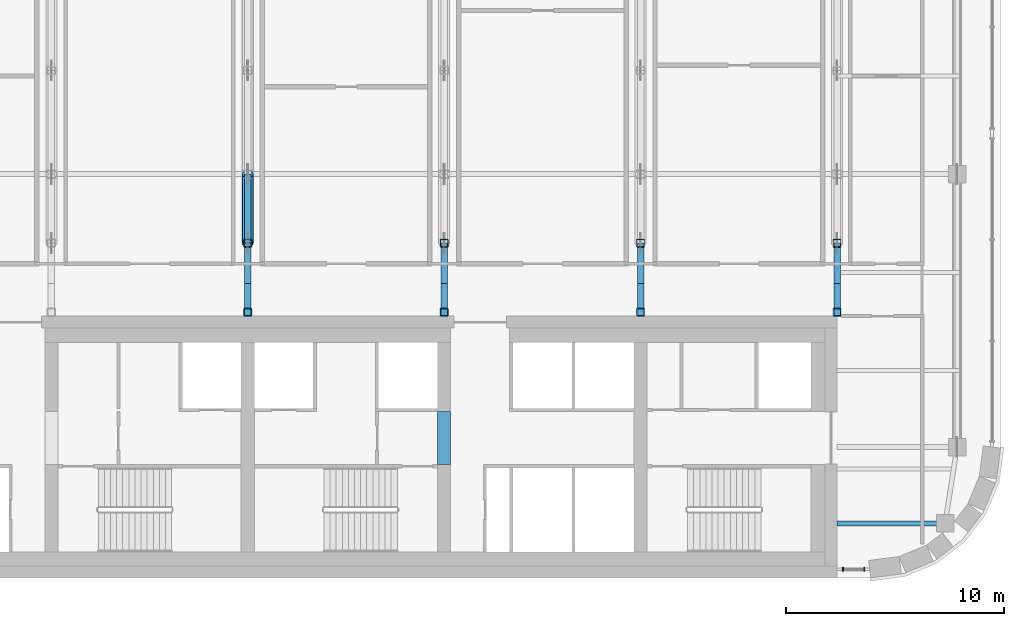
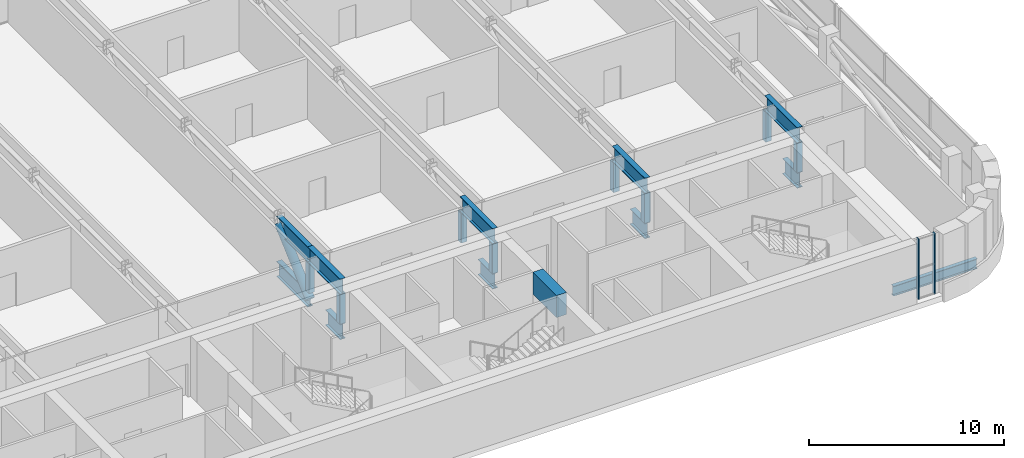
# One storey, part 7 of 28: 21 members, 2 beams, 1 element without a shape of its own.
"""IFC4 building model written with IfcOpenShell, lengths in metres."""

from ifc_helpers import new_model, si_unit, direction, frame, origin, origin_2d, place, context, subcontext, project, spatial, rectangle, hollow_rectangle, hollow_circle, i_section, extrude, material, material_profile, profile_set, type_object, element, aggregate, save


model = new_model("IFC4")

# Units and contexts
model_context = context("Model", 3, precision=1e-05, world=origin(), true_north=direction((0.0, 1.0)))
body_context = subcontext(model_context, "Body", "Model", "MODEL_VIEW")
ifc_project = project(units=[si_unit("LENGTHUNIT", "METRE"), si_unit("AREAUNIT", "SQUARE_METRE"), si_unit("VOLUMEUNIT", "CUBIC_METRE"), si_unit("PLANEANGLEUNIT", "RADIAN"), si_unit("MASSUNIT", "GRAM", prefix="KILO")], contexts=[model_context])

# Site, building, storey
site_placement = place(None, origin())
site = spatial("IfcSite", under=ifc_project, at=site_placement, CompositionType="ELEMENT")
building_placement = place(site_placement, origin())
building = spatial("IfcBuilding", under=site, at=building_placement, Name="Zellij Exchange Tower", CompositionType="ELEMENT")
storey_placement = place(building_placement, frame((0.0, 0.0, 268.5)))
storey = spatial("IfcBuildingStorey", under=building, at=storey_placement, Name="L63", CompositionType="ELEMENT", Elevation=268.5)

# Beam
ifc_material_1 = material(Name="Concrete C50/60", Category="concrete")
ifc_material_profile_1 = material_profile(ifc_material_1, rectangle(XDim=0.60009765625, YDim=1.3798828125, at=origin_2d()), Name="CORE-CB 600x1380 C50/60")
ifc_profile_set_1 = profile_set([ifc_material_profile_1], Name="Concrete C50/60")
beam_type_1 = type_object("IfcBeamType", Name="CORE-CB 600x1380 C50/60", PredefinedType="BEAM", material=ifc_profile_set_1)
beam_1_placement = place(storey_placement, frame((9.0, -8.800048828125, 3.090087890625), z_axis=(0.0, 1.0, 0.0), x_axis=(-1.0, 0.0, 0.0)))
element("IfcBeam", 1, at=beam_1_placement, inside=storey, type_object=beam_type_1, Name="Core coupling beam x 9 L63", PredefinedType="BEAM", context=body_context, shape_type="SweptSolid", body=[
    extrude(rectangle(XDim=0.60009765625, YDim=1.3798828125, at=origin_2d()), origin(), (0.0, 0.0, 1.0), 2.425048828125),
])

# Curtain wall, members
ifc_material_2 = material(Name="Aluminium frame, clear insulating glass", Category="aluminium")
curtain_wall_type = type_object("IfcCurtainWallType", Name="ENV-CW2 Outrigger-storey glazing", PredefinedType="NOTDEFINED", material=ifc_material_2)
curtain_wall_placement = place(storey_placement, origin())
curtain_wall = element("IfcCurtainWall", 2, at=curtain_wall_placement, inside=storey, type_object=curtain_wall_type, Name="cw.L63.00b", PredefinedType="NOTDEFINED")
ifc_material_3 = material(Name="Aluminium", Category="aluminium")
ifc_material_profile_2 = material_profile(ifc_material_3, rectangle(XDim=0.06005859375, YDim=0.199951171875, at=origin_2d()), Name="AL 60x200")
ifc_profile_set_2 = profile_set([ifc_material_profile_2], Name="Aluminium")
member_type_1 = type_object("IfcMemberType", Name="ENV-CW2M Mullion 60x200", PredefinedType="MULLION", material=ifc_profile_set_2)
member_1_placement = place(storey_placement, frame((27.280029296875, -13.60009765625, 0.0), z_axis=(0.0, 0.0, 1.0), x_axis=(1.0, 0.0, 0.0)))
member_1 = element("IfcMember", 3, at=member_1_placement, type_object=member_type_1, Name="CW2 mullion 1", PredefinedType="MULLION", context=body_context, shape_type="SweptSolid", body=[
    extrude(rectangle(XDim=0.06005859375, YDim=0.199951171875, at=origin_2d()), origin(), (0.0, 0.0, 1.0), 3.780029296875),
])
member_2_placement = place(storey_placement, frame((28.243896484375, -13.60009765625, 0.0), z_axis=(0.0, 0.0, 1.0), x_axis=(1.0, 0.0, 0.0)))
member_2 = element("IfcMember", 4, at=member_2_placement, type_object=member_type_1, Name="CW2 mullion 2", PredefinedType="MULLION", context=body_context, shape_type="SweptSolid", body=[
    extrude(rectangle(XDim=0.06005859375, YDim=0.199951171875, at=origin_2d()), origin(), (0.0, 0.0, 1.0), 3.780029296875),
])
aggregate(curtain_wall, [member_1, member_2])

# Beam
ifc_material_4 = material(Name="Structural steel ASTM A992 Gr 50", Category="steel")
ifc_material_profile_3 = material_profile(ifc_material_4, i_section(OverallWidth=0.228271484375, OverallDepth=0.607177734375, WebThickness=0.01123046875, FlangeThickness=0.017333984375, at=origin_2d()), Name="W24x76")
ifc_profile_set_3 = profile_set([ifc_material_profile_3], Name="Structural steel ASTM A992 Gr 50")
beam_type_2 = type_object("IfcBeamType", Name="STR-GIRDER W24x76", PredefinedType="BEAM", material=ifc_profile_set_3)
beam_2_placement = place(storey_placement, frame((27.0, -11.5, -0.653564453125), z_axis=(1.0, 0.0, 0.0), x_axis=(0.0, 1.0, 0.0)))
element("IfcBeam", 5, at=beam_2_placement, inside=storey, type_object=beam_type_2, Name="G2", PredefinedType="BEAM", context=body_context, shape_type="SweptSolid", body=[
    extrude(i_section(OverallWidth=0.228271484375, OverallDepth=0.607177734375, WebThickness=0.01123046875, FlangeThickness=0.017333984375, at=origin_2d()), origin(), (0.0, 0.0, 1.0), 4.949951171875),
])

# Members
ifc_material_5 = material(Name="Structural steel ASTM A913 Gr 65", Category="steel")
ifc_material_profile_4 = material_profile(ifc_material_5, i_section(OverallWidth=0.2998046875, OverallDepth=0.965087890625, WebThickness=0.01904296875, FlangeThickness=0.0361328125, at=origin_2d()), Name="W40x249")
ifc_profile_set_4 = profile_set([ifc_material_profile_4], Name="Structural steel ASTM A913 Gr 65")
member_type_2 = type_object("IfcMemberType", Name="STR-OUTRIGGER TRUSS CHORD W40x249", PredefinedType="CHORD", material=ifc_profile_set_4)
member_3_placement = place(storey_placement, frame((0.0, -2.0, 3.29736328125), z_axis=(0.0, 1.0, 0.0), x_axis=(-1.0, 0.0, 0.0)))
element("IfcMember", 6, at=member_3_placement, inside=storey, type_object=member_type_2, Name="OT1", PredefinedType="CHORD", context=body_context, shape_type="SweptSolid", body=[
    extrude(i_section(OverallWidth=0.2998046875, OverallDepth=0.965087890625, WebThickness=0.01904296875, FlangeThickness=0.0361328125, at=origin_2d()), origin(), (0.0, 0.0, 1.0), 3.339111328125),
])
member_4_placement = place(storey_placement, frame((0.0, -2.0, 0.482666015625), z_axis=(0.0, 1.0, 0.0), x_axis=(-1.0, 0.0, 0.0)))
element("IfcMember", 7, at=member_4_placement, inside=storey, type_object=member_type_2, Name="OT1", PredefinedType="CHORD", context=body_context, shape_type="SweptSolid", body=[
    extrude(i_section(OverallWidth=0.2998046875, OverallDepth=0.965087890625, WebThickness=0.01904296875, FlangeThickness=0.0361328125, at=origin_2d()), origin(), (0.0, 0.0, 1.0), 1.5),
])
for number, where, z_axis, x_axis, name in (
    (8, (0.0, 1.339111328125, 3.29736328125), (0.0, 1.0, 0.0), (-1.0, 0.0, 0.0), "OT1"),
    (9, (0.0, 1.339111328125, 0.482666015625), (0.0, 1.0, 0.0), (-1.0, 0.0, 0.0), "OT1"),
):
    element("IfcMember", number, at=place(storey_placement, frame(where, z_axis=z_axis, x_axis=x_axis)), inside=storey, type_object=member_type_2, Name=name, PredefinedType="CHORD", context=body_context, shape_type="SweptSolid", body=[
        extrude(i_section(OverallWidth=0.2998046875, OverallDepth=0.965087890625, WebThickness=0.01904296875, FlangeThickness=0.0361328125, at=origin_2d()), origin(), (0.0, 0.0, 1.0), 3.160888671875),
    ])
member_5_placement = place(storey_placement, frame((9.0, -2.0, 3.29736328125), z_axis=(0.0, 1.0, 0.0), x_axis=(-1.0, 0.0, 0.0)))
element("IfcMember", 10, at=member_5_placement, inside=storey, type_object=member_type_2, Name="OT1", PredefinedType="CHORD", context=body_context, shape_type="SweptSolid", body=[
    extrude(i_section(OverallWidth=0.2998046875, OverallDepth=0.965087890625, WebThickness=0.01904296875, FlangeThickness=0.0361328125, at=origin_2d()), origin(), (0.0, 0.0, 1.0), 3.339111328125),
])
member_6_placement = place(storey_placement, frame((9.0, -2.0, 0.482666015625), z_axis=(0.0, 1.0, 0.0), x_axis=(-1.0, 0.0, 0.0)))
element("IfcMember", 11, at=member_6_placement, inside=storey, type_object=member_type_2, Name="OT1", PredefinedType="CHORD", context=body_context, shape_type="SweptSolid", body=[
    extrude(i_section(OverallWidth=0.2998046875, OverallDepth=0.965087890625, WebThickness=0.01904296875, FlangeThickness=0.0361328125, at=origin_2d()), origin(), (0.0, 0.0, 1.0), 1.5),
])
member_7_placement = place(storey_placement, frame((18.0, -2.0, 3.29736328125), z_axis=(0.0, 1.0, 0.0), x_axis=(-1.0, 0.0, 0.0)))
element("IfcMember", 12, at=member_7_placement, inside=storey, type_object=member_type_2, Name="OT1", PredefinedType="CHORD", context=body_context, shape_type="SweptSolid", body=[
    extrude(i_section(OverallWidth=0.2998046875, OverallDepth=0.965087890625, WebThickness=0.01904296875, FlangeThickness=0.0361328125, at=origin_2d()), origin(), (0.0, 0.0, 1.0), 3.339111328125),
])
member_8_placement = place(storey_placement, frame((18.0, -2.0, 0.482666015625), z_axis=(0.0, 1.0, 0.0), x_axis=(-1.0, 0.0, 0.0)))
element("IfcMember", 13, at=member_8_placement, inside=storey, type_object=member_type_2, Name="OT1", PredefinedType="CHORD", context=body_context, shape_type="SweptSolid", body=[
    extrude(i_section(OverallWidth=0.2998046875, OverallDepth=0.965087890625, WebThickness=0.01904296875, FlangeThickness=0.0361328125, at=origin_2d()), origin(), (0.0, 0.0, 1.0), 1.5),
])
member_9_placement = place(storey_placement, frame((27.0, -2.0, 3.29736328125), z_axis=(0.0, 1.0, 0.0), x_axis=(-1.0, 0.0, 0.0)))
element("IfcMember", 14, at=member_9_placement, inside=storey, type_object=member_type_2, Name="OT1", PredefinedType="CHORD", context=body_context, shape_type="SweptSolid", body=[
    extrude(i_section(OverallWidth=0.2998046875, OverallDepth=0.965087890625, WebThickness=0.01904296875, FlangeThickness=0.0361328125, at=origin_2d()), origin(), (0.0, 0.0, 1.0), 3.339111328125),
])
member_10_placement = place(storey_placement, frame((27.0, -2.0, 0.482666015625), z_axis=(0.0, 1.0, 0.0), x_axis=(-1.0, 0.0, 0.0)))
element("IfcMember", 15, at=member_10_placement, inside=storey, type_object=member_type_2, Name="OT1", PredefinedType="CHORD", context=body_context, shape_type="SweptSolid", body=[
    extrude(i_section(OverallWidth=0.2998046875, OverallDepth=0.965087890625, WebThickness=0.01904296875, FlangeThickness=0.0361328125, at=origin_2d()), origin(), (0.0, 0.0, 1.0), 1.5),
])
ifc_material_6 = material(Name="Structural steel ASTM A500 Gr C", Category="steel")
ifc_material_profile_5 = material_profile(ifc_material_6, hollow_circle(Radius=0.25390625, WallThickness=0.01171875, at=origin_2d()), Name="STR-OUTRIGGER TRUSS DIAGONAL HSS20.000x0.500")
ifc_profile_set_5 = profile_set([ifc_material_profile_5], Name="Structural steel ASTM A500 Gr C")
member_type_3 = type_object("IfcMemberType", Name="STR-OUTRIGGER TRUSS DIAGONAL HSS20.000x0.500", PredefinedType="BRACE", material=ifc_profile_set_5)
member_11_placement = place(storey_placement, frame((0.0, 1.339111328125, 0.482666015625), z_axis=(0.0, 0.74682026199, 0.665025936548), x_axis=(-1.0, 0.0, 0.0)))
element("IfcMember", 16, at=member_11_placement, inside=storey, type_object=member_type_3, Name="OT2", PredefinedType="BRACE", context=body_context, shape_type="SweptSolid", body=[
    extrude(hollow_circle(Radius=0.25390625, WallThickness=0.01171875, at=origin_2d()), origin(), (0.0, 0.0, 1.0), 4.232421875),
])
ifc_material_profile_6 = material_profile(ifc_material_6, hollow_rectangle(XDim=0.355712890625, YDim=0.355712890625, WallThickness=0.01171875, InnerFilletRadius=0.01171875, OuterFilletRadius=0.023681640625, at=origin_2d()), Name="STR-OUTRIGGER TRUSS POST HSS14x14x1/2")
ifc_profile_set_6 = profile_set([ifc_material_profile_6], Name="Structural steel ASTM A500 Gr C")
member_type_4 = type_object("IfcMemberType", Name="STR-OUTRIGGER TRUSS POST HSS14x14x1/2", PredefinedType="POST", material=ifc_profile_set_6)
for number, where, z_axis, x_axis, name in (
    (17, (0.0, -1.822265625, 0.965087890625), (0.0, 0.0, 1.0), (1.0, 0.0, 0.0), "OT3"),
    (18, (0.0, 1.339111328125, 0.965087890625), (0.0, 0.0, 1.0), (1.0, 0.0, 0.0), "OT3"),
    (19, (9.0, -1.822265625, 0.965087890625), (0.0, 0.0, 1.0), (1.0, 0.0, 0.0), "OT3"),
    (20, (9.0, 1.339111328125, 0.965087890625), (0.0, 0.0, 1.0), (1.0, 0.0, 0.0), "OT3"),
    (21, (18.0, -1.822265625, 0.965087890625), (0.0, 0.0, 1.0), (1.0, 0.0, 0.0), "OT3"),
    (22, (18.0, 1.339111328125, 0.965087890625), (0.0, 0.0, 1.0), (1.0, 0.0, 0.0), "OT3"),
    (23, (27.0, -1.822265625, 0.965087890625), (0.0, 0.0, 1.0), (1.0, 0.0, 0.0), "OT3"),
    (24, (27.0, 1.339111328125, 0.965087890625), (0.0, 0.0, 1.0), (1.0, 0.0, 0.0), "OT3"),
):
    element("IfcMember", number, at=place(storey_placement, frame(where, z_axis=z_axis, x_axis=x_axis)), inside=storey, type_object=member_type_4, Name=name, PredefinedType="POST", context=body_context, shape_type="SweptSolid", body=[
        extrude(hollow_rectangle(XDim=0.355712890625, YDim=0.355712890625, WallThickness=0.01171875, InnerFilletRadius=0.01171875, OuterFilletRadius=0.023681640625, at=origin_2d()), origin(), (0.0, 0.0, 1.0), 1.849609375),
    ])

save(model, "model.ifc")
